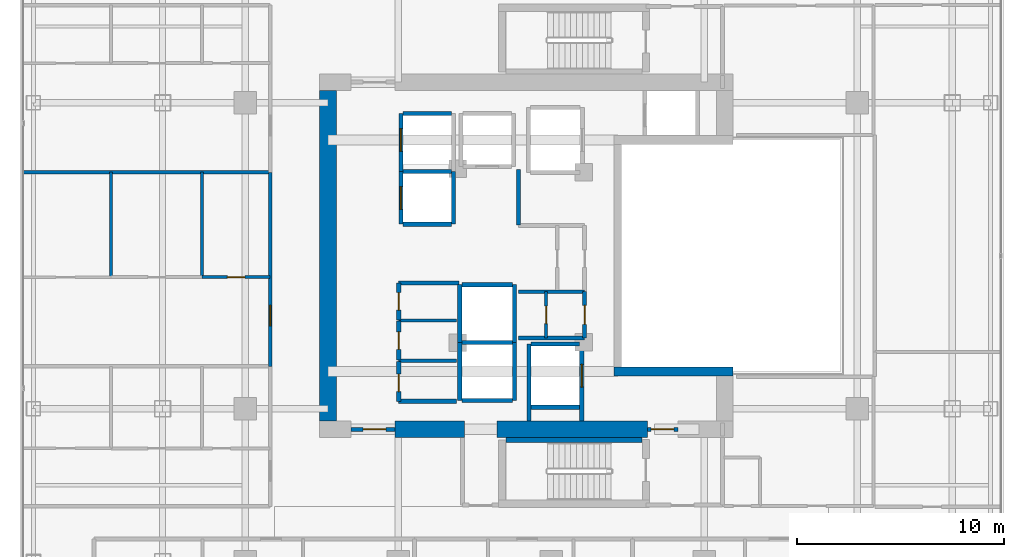
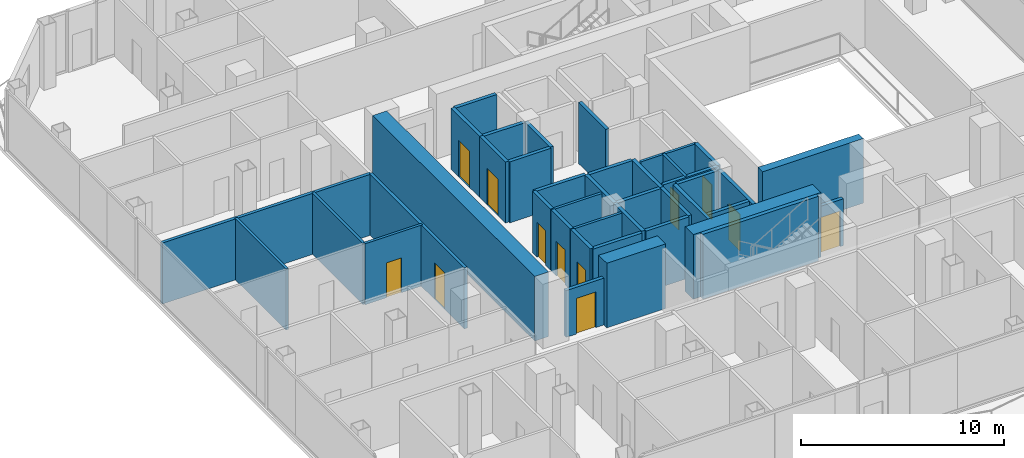
# One storey, part 20 of 27: 41 walls, 12 doors, 12 openings.
"""IFC4 building model written with IfcOpenShell, lengths in metres."""

from ifc_helpers import new_model, si_unit, direction, frame, frame_2d, origin, place, context, subcontext, project, spatial, rectangle, extrude, material, layer, layer_set, type_object, element, fill, save


model = new_model("IFC4")

# Units and contexts
model_context = context("Model", 3, precision=1e-05, world=origin(), true_north=direction((0.0, 1.0)))
body_context = subcontext(model_context, "Body", "Model", "MODEL_VIEW")
ifc_project = project(units=[si_unit("LENGTHUNIT", "METRE"), si_unit("AREAUNIT", "SQUARE_METRE"), si_unit("VOLUMEUNIT", "CUBIC_METRE"), si_unit("PLANEANGLEUNIT", "RADIAN"), si_unit("MASSUNIT", "GRAM", prefix="KILO")], contexts=[model_context])

# Site, building, storey
site_placement = place(None, origin())
site = spatial("IfcSite", under=ifc_project, at=site_placement, CompositionType="ELEMENT")
building_placement = place(site_placement, origin())
building = spatial("IfcBuilding", under=site, at=building_placement, Name="Khorvyn Point Tower", CompositionType="ELEMENT")
storey_placement = place(building_placement, frame((0.0, 0.0, 179.699951171875)))
storey = spatial("IfcBuildingStorey", under=building, at=storey_placement, Name="L44", CompositionType="ELEMENT", Elevation=179.699951171875)

# Wall, opening, door
ifc_material_1 = material(Name="Double acoustic gypsum on twin steel stud", Category="steel")
ifc_layer_1 = layer(ifc_material_1, 0.179931640625)
ifc_layer_set_1 = layer_set([ifc_layer_1], Name="Acoustic Double-Stud Apartment Demising Wall 180")
wall_type_1 = type_object("IfcWallType", Name="Acoustic Double-Stud Apartment Demising Wall 180", PredefinedType="PARTITIONING", material=ifc_layer_set_1)
wall_1_placement = place(storey_placement, frame((-13.60009765625, -5.34912109375, 0.0), z_axis=(0.0, 0.0, 1.0), x_axis=(0.0, 1.0, 0.0)))
wall_1 = element("IfcWall", 1, at=wall_1_placement, inside=storey, type_object=wall_type_1, Name="Wall", PredefinedType="PARTITIONING", context=body_context, shape_type="SweptSolid", body=[
    extrude(rectangle(XDim=9.38916015625, YDim=0.179931640625, at=frame_2d((4.694580078125, 0.0))), origin(), (0.0, 0.0, 1.0), 3.679931640625),
])
opening_1_placement = place(wall_1_placement, frame((1.953125, 0.0, 0.0)))
opening_1 = element("IfcOpeningElement", 2, at=opening_1_placement, cuts=wall_1, Name="Opening ID-AP60", PredefinedType="OPENING", context=body_context, shape_type="SweptSolid", body=[
    extrude(rectangle(XDim=1.0, YDim=2.199951171875, at=frame_2d((0.5, 1.10009765625))), frame((0.0, 0.099853515625, 0.0), z_axis=(0.0, -1.0, 0.0), x_axis=(1.0, 0.0, 0.0)), (0.0, 0.0, 1.0), 0.199951171875),
])
ifc_material_2 = material(Name="Engineered hardwood fire-rated leaf", Category="wood")
door_type_1 = type_object("IfcDoorType", Name="Acoustic Solid-Core Timber Apartment Entrance Door 1000x2200", OperationType="NOTDEFINED", PredefinedType="DOOR", material=ifc_material_2)
door_1_placement = place(opening_1_placement, origin())
door_1 = element("IfcDoor", 3, at=door_1_placement, inside=storey, type_object=door_type_1, Name="Door", OperationType="SINGLE_SWING_LEFT", OverallHeight=2.199951171875, OverallWidth=1.0, PredefinedType="DOOR", context=body_context, shape_type="SweptSolid", body=[
    extrude(rectangle(XDim=1.0, YDim=2.199951171875, at=frame_2d((0.5, 1.10009765625))), frame((0.0, 0.02490234375, 0.0), z_axis=(0.0, -1.0, 0.0), x_axis=(1.0, 0.0, 0.0)), (0.0, 0.0, 1.0), 0.050048828125),
])
fill(opening_1, door_1)

# Walls
wall_2_placement = place(storey_placement, frame((-25.530029296875, 4.0400390625, 0.0), z_axis=(0.0, 0.0, 1.0), x_axis=(1.0, 0.0, 0.0)))
element("IfcWall", 4, at=wall_2_placement, inside=storey, type_object=wall_type_1, Name="Wall", PredefinedType="PARTITIONING", context=body_context, shape_type="SweptSolid", body=[
    extrude(rectangle(XDim=11.929931640625, YDim=0.179931640625, at=frame_2d((5.96484375, 0.0))), origin(), (0.0, 0.0, 1.0), 3.679931640625),
])
ifc_material_3 = material(Name="Concrete C40/50", Category="concrete")
ifc_layer_2 = layer(ifc_material_3, 0.449951171875)
ifc_layer_set_2 = layer_set([ifc_layer_2], Name="Concrete C40/50 Core Shear Wall 450")
wall_type_2 = type_object("IfcWallType", Name="Concrete C40/50 Core Shear Wall 450", PredefinedType="SHEAR", material=ifc_layer_set_2)
wall_3_placement = place(storey_placement, frame((3.044921875, -5.60009765625, 0.0), z_axis=(0.0, 0.0, 1.0), x_axis=(1.0, 0.0, 0.0)))
element("IfcWall", 5, at=wall_3_placement, inside=storey, type_object=wall_type_2, Name="Wall", PredefinedType="SHEAR", context=body_context, shape_type="SweptSolid", body=[
    extrude(rectangle(XDim=5.755126953125, YDim=0.449951171875, at=frame_2d((2.87744140625, 0.0))), origin(), (0.0, 0.0, 1.0), 3.900146484375),
])

# Wall, opening, door
ifc_layer_3 = layer(ifc_material_3, 0.199951171875)
ifc_layer_set_3 = layer_set([ifc_layer_3], Name="Concrete C40/50 Fire-Lobby Compartment Wall 200")
wall_type_3 = type_object("IfcWallType", Name="Concrete C40/50 Fire-Lobby Compartment Wall 200", PredefinedType="SOLIDWALL", material=ifc_layer_set_3)
wall_4_placement = place(storey_placement, frame((4.64990234375, -8.39990234375, 0.0), z_axis=(0.0, 0.0, 1.0), x_axis=(1.0, 0.0, 0.0)))
wall_4 = element("IfcWall", 6, at=wall_4_placement, inside=storey, type_object=wall_type_3, Name="Wall", PredefinedType="SOLIDWALL", context=body_context, shape_type="SweptSolid", body=[
    extrude(rectangle(XDim=1.47021484375, YDim=0.199951171875, at=frame_2d((0.735107421875, 0.0))), origin(), (0.0, 0.0, 1.0), 2.820068359375),
])
opening_2_placement = place(wall_4_placement, frame((0.18505859375, 0.0, 0.0)))
opening_2 = element("IfcOpeningElement", 7, at=opening_2_placement, cuts=wall_4, Name="Opening ID-FL90", PredefinedType="OPENING", context=body_context, shape_type="SweptSolid", body=[
    extrude(rectangle(XDim=1.10009765625, YDim=2.14990234375, at=frame_2d((0.550048828125, 1.074951171875))), frame((0.0, 0.10986328125, 0.0), z_axis=(0.0, -1.0, 0.0), x_axis=(1.0, 0.0, 0.0)), (0.0, 0.0, 1.0), 0.219970703125),
])
ifc_material_4 = material(Name="Galvanised powder-coated steel", Category="steel")
door_type_2 = type_object("IfcDoorType", Name="Fire-Rated Steel Lobby and Stair Door 1100x2150", OperationType="NOTDEFINED", PredefinedType="DOOR", material=ifc_material_4)
door_2_placement = place(opening_2_placement, origin())
door_2 = element("IfcDoor", 8, at=door_2_placement, inside=storey, type_object=door_type_2, Name="Door", OperationType="SINGLE_SWING_LEFT", OverallHeight=2.14990234375, OverallWidth=1.10009765625, PredefinedType="DOOR", context=body_context, shape_type="SweptSolid", body=[
    extrude(rectangle(XDim=1.10009765625, YDim=2.14990234375, at=frame_2d((0.550048828125, 1.074951171875))), frame((0.0, 0.02490234375, 0.0), z_axis=(0.0, -1.0, 0.0), x_axis=(1.0, 0.0, 0.0)), (0.0, 0.0, 1.0), 0.050048828125),
])
fill(opening_2, door_2)

wall_5_placement = place(storey_placement, frame((-9.699951171875, -8.39990234375, 0.0), z_axis=(0.0, 0.0, 1.0), x_axis=(1.0, 0.0, 0.0)))
wall_5 = element("IfcWall", 9, at=wall_5_placement, inside=storey, type_object=wall_type_3, Name="Wall", PredefinedType="SOLIDWALL", context=body_context, shape_type="SweptSolid", body=[
    extrude(rectangle(XDim=2.14990234375, YDim=0.199951171875, at=frame_2d((1.074951171875, 0.0))), origin(), (0.0, 0.0, 1.0), 2.820068359375),
])
opening_3_placement = place(wall_5_placement, frame((0.597900390625, 0.0, 0.0)))
opening_3 = element("IfcOpeningElement", 10, at=opening_3_placement, cuts=wall_5, Name="Opening ID-FL90", PredefinedType="OPENING", context=body_context, shape_type="SweptSolid", body=[
    extrude(rectangle(XDim=1.10009765625, YDim=2.14990234375, at=frame_2d((0.550048828125, 1.074951171875))), frame((0.0, 0.10986328125, 0.0), z_axis=(0.0, -1.0, 0.0), x_axis=(1.0, 0.0, 0.0)), (0.0, 0.0, 1.0), 0.219970703125),
])
door_3_placement = place(opening_3_placement, origin())
door_3 = element("IfcDoor", 11, at=door_3_placement, inside=storey, type_object=door_type_2, Name="Door", OperationType="SINGLE_SWING_LEFT", OverallHeight=2.14990234375, OverallWidth=1.10009765625, PredefinedType="DOOR", context=body_context, shape_type="SweptSolid", body=[
    extrude(rectangle(XDim=1.10009765625, YDim=2.14990234375, at=frame_2d((0.550048828125, 1.074951171875))), frame((0.0, 0.02490234375, 0.0), z_axis=(0.0, -1.0, 0.0), x_axis=(1.0, 0.0, 0.0)), (0.0, 0.0, 1.0), 0.050048828125),
])
fill(opening_3, door_3)

wall_6_placement = place(storey_placement, frame((1.610107421875, -3.97998046875, 0.0), z_axis=(0.0, 0.0, 1.0), x_axis=(0.0, 1.0, 0.0)))
wall_6 = element("IfcWall", 12, at=wall_6_placement, inside=storey, type_object=wall_type_3, Name="Wall", PredefinedType="SOLIDWALL", context=body_context, shape_type="SweptSolid", body=[
    extrude(rectangle(XDim=2.240966796875, YDim=0.199951171875, at=frame_2d((1.12060546875, 0.0))), origin(), (0.0, 0.0, 1.0), 3.679931640625),
])
opening_4_placement = place(wall_6_placement, frame((0.660400390625, 0.0, 0.0)))
opening_4 = element("IfcOpeningElement", 13, at=opening_4_placement, cuts=wall_6, Name="Opening ID-RS60", PredefinedType="OPENING", context=body_context, shape_type="SweptSolid", body=[
    extrude(rectangle(XDim=0.919921875, YDim=2.10009765625, at=frame_2d((0.4599609375, 1.050048828125))), frame((0.0, 0.10986328125, 0.0), z_axis=(0.0, -1.0, 0.0), x_axis=(1.0, 0.0, 0.0)), (0.0, 0.0, 1.0), 0.219970703125),
])
door_type_3 = type_object("IfcDoorType", Name="Fire-Rated Riser and Store Steel Door 920x2100", OperationType="NOTDEFINED", PredefinedType="DOOR", material=ifc_material_4)
door_4_placement = place(opening_4_placement, origin())
door_4 = element("IfcDoor", 14, at=door_4_placement, inside=storey, type_object=door_type_3, Name="Door", OperationType="SINGLE_SWING_RIGHT", OverallHeight=2.10009765625, OverallWidth=0.919921875, PredefinedType="DOOR", context=body_context, shape_type="SweptSolid", body=[
    extrude(rectangle(XDim=0.919921875, YDim=2.10009765625, at=frame_2d((0.4599609375, 1.050048828125))), frame((0.0, 0.02490234375, 0.0), z_axis=(0.0, -1.0, 0.0), x_axis=(1.0, 0.0, 0.0)), (0.0, 0.0, 1.0), 0.050048828125),
])
fill(opening_4, door_4)

wall_7_placement = place(storey_placement, frame((-7.3798828125, -7.0400390625, 0.0), z_axis=(0.0, 0.0, 1.0), x_axis=(0.0, 1.0, 0.0)))
wall_7 = element("IfcWall", 15, at=wall_7_placement, inside=storey, type_object=wall_type_3, Name="Wall", PredefinedType="SOLIDWALL", context=body_context, shape_type="SweptSolid", body=[
    extrude(rectangle(XDim=1.929931640625, YDim=0.199951171875, at=frame_2d((0.96484375, 0.0))), origin(), (0.0, 0.0, 1.0), 3.679931640625),
])
opening_5_placement = place(wall_7_placement, frame((0.464111328125, 0.0, 0.0)))
opening_5 = element("IfcOpeningElement", 16, at=opening_5_placement, cuts=wall_7, Name="Opening ID-WC85", PredefinedType="OPENING", context=body_context, shape_type="SweptSolid", body=[
    extrude(rectangle(XDim=0.85009765625, YDim=2.10009765625, at=frame_2d((0.425048828125, 1.050048828125))), frame((0.0, 0.10986328125, 0.0), z_axis=(0.0, -1.0, 0.0), x_axis=(1.0, 0.0, 0.0)), (0.0, 0.0, 1.0), 0.219970703125),
])
ifc_material_5 = material(Name="High-pressure laminate on moisture-resistant core", Category="wood")
door_type_4 = type_object("IfcDoorType", Name="Moisture-Resistant Accessible Washroom Door 850x2100", OperationType="NOTDEFINED", PredefinedType="DOOR", material=ifc_material_5)
door_5_placement = place(opening_5_placement, origin())
door_5 = element("IfcDoor", 17, at=door_5_placement, inside=storey, type_object=door_type_4, Name="Door", OperationType="SINGLE_SWING_RIGHT", OverallHeight=2.10009765625, OverallWidth=0.85009765625, PredefinedType="DOOR", context=body_context, shape_type="SweptSolid", body=[
    extrude(rectangle(XDim=0.85009765625, YDim=2.10009765625, at=frame_2d((0.425048828125, 1.050048828125))), frame((0.0, 0.02490234375, 0.0), z_axis=(0.0, -1.0, 0.0), x_axis=(1.0, 0.0, 0.0)), (0.0, 0.0, 1.0), 0.050048828125),
])
fill(opening_5, door_5)

wall_8_placement = place(storey_placement, frame((-7.3798828125, -5.050048828125, 0.0), z_axis=(0.0, 0.0, 1.0), x_axis=(0.0, 1.0, 0.0)))
wall_8 = element("IfcWall", 18, at=wall_8_placement, inside=storey, type_object=wall_type_3, Name="Wall", PredefinedType="SOLIDWALL", context=body_context, shape_type="SweptSolid", body=[
    extrude(rectangle(XDim=1.89013671875, YDim=0.199951171875, at=frame_2d((0.945068359375, 0.0))), origin(), (0.0, 0.0, 1.0), 3.679931640625),
])
opening_6_placement = place(wall_8_placement, frame((0.52001953125, 0.0, 0.0)))
opening_6 = element("IfcOpeningElement", 19, at=opening_6_placement, cuts=wall_8, Name="Opening ID-WC85", PredefinedType="OPENING", context=body_context, shape_type="SweptSolid", body=[
    extrude(rectangle(XDim=0.85009765625, YDim=2.10009765625, at=frame_2d((0.425048828125, 1.050048828125))), frame((0.0, 0.10986328125, 0.0), z_axis=(0.0, -1.0, 0.0), x_axis=(1.0, 0.0, 0.0)), (0.0, 0.0, 1.0), 0.219970703125),
])
door_6_placement = place(opening_6_placement, origin())
door_6 = element("IfcDoor", 20, at=door_6_placement, inside=storey, type_object=door_type_4, Name="Door", OperationType="SINGLE_SWING_LEFT", OverallHeight=2.10009765625, OverallWidth=0.85009765625, PredefinedType="DOOR", context=body_context, shape_type="SweptSolid", body=[
    extrude(rectangle(XDim=0.85009765625, YDim=2.10009765625, at=frame_2d((0.425048828125, 1.050048828125))), frame((0.0, 0.02490234375, 0.0), z_axis=(0.0, -1.0, 0.0), x_axis=(1.0, 0.0, 0.0)), (0.0, 0.0, 1.0), 0.050048828125),
])
fill(opening_6, door_6)

wall_9_placement = place(storey_placement, frame((-7.3798828125, -3.10009765625, 0.0), z_axis=(0.0, 0.0, 1.0), x_axis=(0.0, 1.0, 0.0)))
wall_9 = element("IfcWall", 21, at=wall_9_placement, inside=storey, type_object=wall_type_3, Name="Wall", PredefinedType="SOLIDWALL", context=body_context, shape_type="SweptSolid", body=[
    extrude(rectangle(XDim=1.780029296875, YDim=0.199951171875, at=frame_2d((0.89013671875, 0.0))), origin(), (0.0, 0.0, 1.0), 3.679931640625),
])
opening_7_placement = place(wall_9_placement, frame((0.465087890625, 0.0, 0.0)))
opening_7 = element("IfcOpeningElement", 22, at=opening_7_placement, cuts=wall_9, Name="Opening ID-WC85", PredefinedType="OPENING", context=body_context, shape_type="SweptSolid", body=[
    extrude(rectangle(XDim=0.85009765625, YDim=2.10009765625, at=frame_2d((0.425048828125, 1.050048828125))), frame((0.0, 0.10986328125, 0.0), z_axis=(0.0, -1.0, 0.0), x_axis=(1.0, 0.0, 0.0)), (0.0, 0.0, 1.0), 0.219970703125),
])
door_7_placement = place(opening_7_placement, origin())
door_7 = element("IfcDoor", 23, at=door_7_placement, inside=storey, type_object=door_type_4, Name="Door", OperationType="SINGLE_SWING_RIGHT", OverallHeight=2.10009765625, OverallWidth=0.85009765625, PredefinedType="DOOR", context=body_context, shape_type="SweptSolid", body=[
    extrude(rectangle(XDim=0.85009765625, YDim=2.10009765625, at=frame_2d((0.425048828125, 1.050048828125))), frame((0.0, 0.02490234375, 0.0), z_axis=(0.0, -1.0, 0.0), x_axis=(1.0, 0.0, 0.0)), (0.0, 0.0, 1.0), 0.050048828125),
])
fill(opening_7, door_7)

# Walls
wall_10_placement = place(storey_placement, frame((-7.3798828125, -1.320068359375, 0.0), z_axis=(0.0, 0.0, 1.0), x_axis=(1.0, 0.0, 0.0)))
element("IfcWall", 24, at=wall_10_placement, inside=storey, type_object=wall_type_3, Name="Wall", PredefinedType="SOLIDWALL", context=body_context, shape_type="SweptSolid", body=[
    extrude(rectangle(XDim=2.909912109375, YDim=0.199951171875, at=frame_2d((1.455078125, 0.0))), origin(), (0.0, 0.0, 1.0), 3.679931640625),
])
wall_11_placement = place(storey_placement, frame((-1.580078125, 1.47998046875, 0.0), z_axis=(0.0, 0.0, 1.0), x_axis=(0.0, 1.0, 0.0)))
element("IfcWall", 25, at=wall_11_placement, inside=storey, type_object=wall_type_3, Name="Wall", PredefinedType="SOLIDWALL", context=body_context, shape_type="SweptSolid", body=[
    extrude(rectangle(XDim=2.699951171875, YDim=0.199951171875, at=frame_2d((1.35009765625, 0.0))), origin(), (0.0, 0.0, 1.0), 3.679931640625),
])
wall_12_placement = place(storey_placement, frame((-1.580078125, -3.97998046875, 0.0), z_axis=(0.0, 0.0, 1.0), x_axis=(1.0, 0.0, 0.0)))
element("IfcWall", 26, at=wall_12_placement, inside=storey, type_object=wall_type_3, Name="Wall", PredefinedType="SOLIDWALL", context=body_context, shape_type="SweptSolid", body=[
    extrude(rectangle(XDim=3.190185546875, YDim=0.199951171875, at=frame_2d((1.59521484375, 0.0))), origin(), (0.0, 0.0, 1.0), 3.679931640625),
])
wall_13_placement = place(storey_placement, frame((-7.3798828125, -7.0400390625, 0.0), z_axis=(0.0, 0.0, 1.0), x_axis=(1.0, 0.0, 0.0)))
element("IfcWall", 27, at=wall_13_placement, inside=storey, type_object=wall_type_3, Name="Wall", PredefinedType="SOLIDWALL", context=body_context, shape_type="SweptSolid", body=[
    extrude(rectangle(XDim=2.7998046875, YDim=0.199951171875, at=frame_2d((1.39990234375, 0.0))), origin(), (0.0, 0.0, 1.0), 3.679931640625),
])
ifc_layer_4 = layer(ifc_material_3, 0.25)
ifc_layer_set_4 = layer_set([ifc_layer_4], Name="Concrete C40/50 Stair Inner Cheek Structural Wall 250")
wall_type_4 = type_object("IfcWallType", Name="Concrete C40/50 Stair Inner Cheek Structural Wall 250", PredefinedType="SHEAR", material=ifc_layer_set_4)
wall_14_placement = place(storey_placement, frame((-2.199951171875, -8.91259765625, 0.0), z_axis=(0.0, 0.0, 1.0), x_axis=(1.0, 0.0, 0.0)))
element("IfcWall", 28, at=wall_14_placement, inside=storey, type_object=wall_type_4, Name="Wall", PredefinedType="SHEAR", context=body_context, shape_type="SweptSolid", body=[
    extrude(rectangle(XDim=6.599853515625, YDim=0.22509765625, at=frame_2d((3.2998046875, 0.0))), origin(), (0.0, 0.0, 1.0), 3.900146484375),
])

# Wall, opening, door
ifc_layer_5 = layer(ifc_material_3, 0.199951171875)
ifc_layer_set_5 = layer_set([ifc_layer_5], Name="Concrete C40/50 Structural Hoistway and Stair Shaft Wall 200")
wall_type_5 = type_object("IfcWallType", Name="Concrete C40/50 Structural Hoistway and Stair Shaft Wall 200", PredefinedType="SHEAR", material=ifc_layer_set_5)
wall_15_placement = place(storey_placement, frame((-7.27490234375, 1.52490234375, 0.0), z_axis=(0.0, 0.0, 1.0), x_axis=(0.0, 1.0, 0.0)))
wall_15 = element("IfcWall", 29, at=wall_15_placement, inside=storey, type_object=wall_type_5, Name="Wall", PredefinedType="SHEAR", context=body_context, shape_type="SweptSolid", body=[
    extrude(rectangle(XDim=2.550048828125, YDim=0.199951171875, at=frame_2d((1.27490234375, 0.0))), origin(), (0.0, 0.0, 1.0), 3.679931640625),
])
opening_8_placement = place(wall_15_placement, frame((0.72509765625, 0.0, 0.0)))
opening_8 = element("IfcOpeningElement", 30, at=opening_8_placement, cuts=wall_15, Name="Opening LD-1122", PredefinedType="OPENING", context=body_context, shape_type="SweptSolid", body=[
    extrude(rectangle(XDim=1.10009765625, YDim=2.199951171875, at=frame_2d((0.550048828125, 1.10009765625))), frame((0.0, 0.10986328125, 0.0), z_axis=(0.0, -1.0, 0.0), x_axis=(1.0, 0.0, 0.0)), (0.0, 0.0, 1.0), 0.219970703125),
])
ifc_material_6 = material(Name="Stainless steel 1.4301", Category="steel")
door_type_5 = type_object("IfcDoorType", Name="Stainless Steel Automatic Sliding Lift Landing Door 1100x2200", OperationType="SLIDING_TO_LEFT", PredefinedType="DOOR", material=ifc_material_6)
door_8_placement = place(opening_8_placement, origin())
door_8 = element("IfcDoor", 31, at=door_8_placement, inside=storey, type_object=door_type_5, Name="L44 RM-01 Sliding Lift Landing Door", OperationType="SLIDING_TO_LEFT", OverallHeight=2.199951171875, OverallWidth=1.10009765625, PredefinedType="DOOR", context=body_context, shape_type="SweptSolid", body=[
    extrude(rectangle(XDim=1.10009765625, YDim=2.199951171875, at=frame_2d((0.550048828125, 1.10009765625))), frame((0.0, 0.02490234375, 0.0), z_axis=(0.0, -1.0, 0.0), x_axis=(1.0, 0.0, 0.0)), (0.0, 0.0, 1.0), 0.050048828125),
])
fill(opening_8, door_8)

# Walls
wall_16_placement = place(storey_placement, frame((-4.72509765625, 1.52490234375, 0.0), z_axis=(0.0, 0.0, 1.0), x_axis=(0.0, 1.0, 0.0)))
element("IfcWall", 32, at=wall_16_placement, inside=storey, type_object=wall_type_5, Name="Wall", PredefinedType="SHEAR", context=body_context, shape_type="SweptSolid", body=[
    extrude(rectangle(XDim=2.550048828125, YDim=0.199951171875, at=frame_2d((1.27490234375, 0.0))), origin(), (0.0, 0.0, 1.0), 3.679931640625),
])
for number, where, z_axis, x_axis, name in (
    (33, (-7.175048828125, 1.52490234375, 0.0), (0.0, 0.0, 1.0), (1.0, 0.0, 0.0), "Wall"),
    (34, (-7.175048828125, 4.074951171875, 0.0), (0.0, 0.0, 1.0), (1.0, 0.0, 0.0), "Wall"),
):
    element("IfcWall", number, at=place(storey_placement, frame(where, z_axis=z_axis, x_axis=x_axis)), inside=storey, type_object=wall_type_5, Name=name, PredefinedType="SHEAR", context=body_context, shape_type="SweptSolid", body=[
        extrude(rectangle(XDim=2.35009765625, YDim=0.199951171875, at=frame_2d((1.175048828125, 0.0))), origin(), (0.0, 0.0, 1.0), 3.679931640625),
    ])

# Wall, opening, door
wall_17_placement = place(storey_placement, frame((-7.27490234375, 4.074951171875, 0.0), z_axis=(0.0, 0.0, 1.0), x_axis=(0.0, 1.0, 0.0)))
wall_17 = element("IfcWall", 35, at=wall_17_placement, inside=storey, type_object=wall_type_5, Name="Wall", PredefinedType="SHEAR", context=body_context, shape_type="SweptSolid", body=[
    extrude(rectangle(XDim=2.800048828125, YDim=0.199951171875, at=frame_2d((1.39990234375, 0.0))), origin(), (0.0, 0.0, 1.0), 3.679931640625),
])
opening_9_placement = place(wall_17_placement, frame((0.97509765625, 0.0, 0.0)))
opening_9 = element("IfcOpeningElement", 36, at=opening_9_placement, cuts=wall_17, Name="Opening LD-1122", PredefinedType="OPENING", context=body_context, shape_type="SweptSolid", body=[
    extrude(rectangle(XDim=1.10009765625, YDim=2.199951171875, at=frame_2d((0.550048828125, 1.10009765625))), frame((0.0, 0.10986328125, 0.0), z_axis=(0.0, -1.0, 0.0), x_axis=(1.0, 0.0, 0.0)), (0.0, 0.0, 1.0), 0.219970703125),
])
door_9_placement = place(opening_9_placement, origin())
door_9 = element("IfcDoor", 37, at=door_9_placement, inside=storey, type_object=door_type_5, Name="L44 RM-02 Sliding Lift Landing Door", OperationType="SLIDING_TO_LEFT", OverallHeight=2.199951171875, OverallWidth=1.10009765625, PredefinedType="DOOR", context=body_context, shape_type="SweptSolid", body=[
    extrude(rectangle(XDim=1.10009765625, YDim=2.199951171875, at=frame_2d((0.550048828125, 1.10009765625))), frame((0.0, 0.02490234375, 0.0), z_axis=(0.0, -1.0, 0.0), x_axis=(1.0, 0.0, 0.0)), (0.0, 0.0, 1.0), 0.050048828125),
])
fill(opening_9, door_9)

# Walls
wall_18_placement = place(storey_placement, frame((-7.175048828125, 6.875, 0.0), z_axis=(0.0, 0.0, 1.0), x_axis=(1.0, 0.0, 0.0)))
element("IfcWall", 38, at=wall_18_placement, inside=storey, type_object=wall_type_5, Name="Wall", PredefinedType="SHEAR", context=body_context, shape_type="SweptSolid", body=[
    extrude(rectangle(XDim=2.35009765625, YDim=0.199951171875, at=frame_2d((1.175048828125, 0.0))), origin(), (0.0, 0.0, 1.0), 3.679931640625),
])
for number, where, z_axis, x_axis, name in (
    (39, (-4.425048828125, -7.0, 0.0), (0.0, 0.0, 1.0), (0.0, 1.0, 0.0), "Wall"),
    (40, (-1.77490234375, -7.0, 0.0), (0.0, 0.0, 1.0), (0.0, 1.0, 0.0), "Wall"),
):
    element("IfcWall", number, at=place(storey_placement, frame(where, z_axis=z_axis, x_axis=x_axis)), inside=storey, type_object=wall_type_5, Name=name, PredefinedType="SHEAR", context=body_context, shape_type="SweptSolid", body=[
        extrude(rectangle(XDim=2.800048828125, YDim=0.199951171875, at=frame_2d((1.39990234375, 0.0))), origin(), (0.0, 0.0, 1.0), 3.679931640625),
    ])
for number, where, z_axis, x_axis, name in (
    (41, (-4.324951171875, -7.0, 0.0), (0.0, 0.0, 1.0), (1.0, 0.0, 0.0), "Wall"),
    (42, (-4.324951171875, -4.199951171875, 0.0), (0.0, 0.0, 1.0), (1.0, 0.0, 0.0), "Wall"),
):
    element("IfcWall", number, at=place(storey_placement, frame(where, z_axis=z_axis, x_axis=x_axis)), inside=storey, type_object=wall_type_5, Name=name, PredefinedType="SHEAR", context=body_context, shape_type="SweptSolid", body=[
        extrude(rectangle(XDim=2.449951171875, YDim=0.199951171875, at=frame_2d((1.22509765625, 0.0))), origin(), (0.0, 0.0, 1.0), 3.679931640625),
    ])
for number, where, z_axis, x_axis, name in (
    (43, (-4.425048828125, -4.199951171875, 0.0), (0.0, 0.0, 1.0), (0.0, 1.0, 0.0), "Wall"),
    (44, (-1.77490234375, -4.199951171875, 0.0), (0.0, 0.0, 1.0), (0.0, 1.0, 0.0), "Wall"),
):
    element("IfcWall", number, at=place(storey_placement, frame(where, z_axis=z_axis, x_axis=x_axis)), inside=storey, type_object=wall_type_5, Name=name, PredefinedType="SHEAR", context=body_context, shape_type="SweptSolid", body=[
        extrude(rectangle(XDim=2.800048828125, YDim=0.199951171875, at=frame_2d((1.39990234375, 0.0))), origin(), (0.0, 0.0, 1.0), 3.679931640625),
    ])
wall_19_placement = place(storey_placement, frame((-4.324951171875, -1.39990234375, 0.0), z_axis=(0.0, 0.0, 1.0), x_axis=(1.0, 0.0, 0.0)))
element("IfcWall", 45, at=wall_19_placement, inside=storey, type_object=wall_type_5, Name="Wall", PredefinedType="SHEAR", context=body_context, shape_type="SweptSolid", body=[
    extrude(rectangle(XDim=2.449951171875, YDim=0.199951171875, at=frame_2d((1.22509765625, 0.0))), origin(), (0.0, 0.0, 1.0), 3.679931640625),
])
wall_20_placement = place(storey_placement, frame((-1.074951171875, -8.0, 0.0), z_axis=(0.0, 0.0, 1.0), x_axis=(0.0, 1.0, 0.0)))
element("IfcWall", 46, at=wall_20_placement, inside=storey, type_object=wall_type_5, Name="Wall", PredefinedType="SHEAR", context=body_context, shape_type="SweptSolid", body=[
    extrude(rectangle(XDim=3.72509765625, YDim=0.199951171875, at=frame_2d((1.862548828125, 0.0))), origin(), (0.0, 0.0, 1.0), 3.679931640625),
])

# Wall, opening, door
wall_21_placement = place(storey_placement, frame((1.47509765625, -8.0, 0.0), z_axis=(0.0, 0.0, 1.0), x_axis=(0.0, 1.0, 0.0)))
wall_21 = element("IfcWall", 47, at=wall_21_placement, inside=storey, type_object=wall_type_5, Name="Wall", PredefinedType="SHEAR", context=body_context, shape_type="SweptSolid", body=[
    extrude(rectangle(XDim=3.72509765625, YDim=0.199951171875, at=frame_2d((1.862548828125, 0.0))), origin(), (0.0, 0.0, 1.0), 3.679931640625),
])
opening_10_placement = place(wall_21_placement, frame((1.64990234375, 0.0, 0.0)))
opening_10 = element("IfcOpeningElement", 48, at=opening_10_placement, cuts=wall_21, Name="Opening LD-1122", PredefinedType="OPENING", context=body_context, shape_type="SweptSolid", body=[
    extrude(rectangle(XDim=1.10009765625, YDim=2.199951171875, at=frame_2d((0.550048828125, 1.10009765625))), frame((0.0, 0.10986328125, 0.0), z_axis=(0.0, -1.0, 0.0), x_axis=(1.0, 0.0, 0.0)), (0.0, 0.0, 1.0), 0.219970703125),
])
door_10_placement = place(opening_10_placement, origin())
door_10 = element("IfcDoor", 49, at=door_10_placement, inside=storey, type_object=door_type_5, Name="L44 FF-01 Sliding Lift Landing Door", OperationType="SLIDING_TO_LEFT", OverallHeight=2.199951171875, OverallWidth=1.10009765625, PredefinedType="DOOR", context=body_context, shape_type="SweptSolid", body=[
    extrude(rectangle(XDim=1.10009765625, YDim=2.199951171875, at=frame_2d((0.550048828125, 1.10009765625))), frame((0.0, 0.02490234375, 0.0), z_axis=(0.0, -1.0, 0.0), x_axis=(1.0, 0.0, 0.0)), (0.0, 0.0, 1.0), 0.050048828125),
])
fill(opening_10, door_10)

# Walls
for number, where, z_axis, x_axis, name in (
    (50, (-0.97509765625, -7.324951171875, 0.0), (0.0, 0.0, 1.0), (1.0, 0.0, 0.0), "Wall"),
    (51, (-0.97509765625, -4.27490234375, 0.0), (0.0, 0.0, 1.0), (1.0, 0.0, 0.0), "Wall"),
):
    element("IfcWall", number, at=place(storey_placement, frame(where, z_axis=z_axis, x_axis=x_axis)), inside=storey, type_object=wall_type_5, Name=name, PredefinedType="SHEAR", context=body_context, shape_type="SweptSolid", body=[
        extrude(rectangle(XDim=2.35009765625, YDim=0.199951171875, at=frame_2d((1.175048828125, 0.0))), origin(), (0.0, 0.0, 1.0), 3.679931640625),
    ])
ifc_material_7 = material(Name="Concrete C45/55", Category="concrete")
ifc_layer_6 = layer(ifc_material_7, 0.800048828125)
ifc_layer_set_6 = layer_set([ifc_layer_6], Name="Concrete C45/55 Core Shear Wall 800")
wall_type_6 = type_object("IfcWallType", Name="Concrete C45/55 Core Shear Wall 800", PredefinedType="SHEAR", material=ifc_layer_set_6)
wall_22_placement = place(storey_placement, frame((-7.550048828125, -8.39990234375, 0.0), z_axis=(0.0, 0.0, 1.0), x_axis=(1.0, 0.0, 0.0)))
element("IfcWall", 52, at=wall_22_placement, inside=storey, type_object=wall_type_6, Name="Wall", PredefinedType="SHEAR", context=body_context, shape_type="SweptSolid", body=[
    extrude(rectangle(XDim=3.35009765625, YDim=0.800048828125, at=frame_2d((1.675048828125, 0.0))), origin(), (0.0, 0.0, 1.0), 3.900146484375),
])
wall_23_placement = place(storey_placement, frame((-2.6201171875, -8.39990234375, 0.0), z_axis=(0.0, 0.0, 1.0), x_axis=(1.0, 0.0, 0.0)))
element("IfcWall", 53, at=wall_23_placement, inside=storey, type_object=wall_type_6, Name="Wall", PredefinedType="SHEAR", context=body_context, shape_type="SweptSolid", body=[
    extrude(rectangle(XDim=7.27001953125, YDim=0.800048828125, at=frame_2d((3.635009765625, 0.0))), origin(), (0.0, 0.0, 1.0), 3.900146484375),
])
wall_24_placement = place(storey_placement, frame((-10.800048828125, -8.0, 0.0), z_axis=(0.0, 0.0, 1.0), x_axis=(0.0, 1.0, 0.0)))
element("IfcWall", 54, at=wall_24_placement, inside=storey, type_object=wall_type_6, Name="Wall", PredefinedType="SHEAR", context=body_context, shape_type="SweptSolid", body=[
    extrude(rectangle(XDim=16.0, YDim=0.800048828125, at=frame_2d((8.0, 0.0))), origin(), (0.0, 0.0, 1.0), 3.900146484375),
])

# Wall, opening, door
ifc_material_8 = material(Name="Moisture-resistant gypsum and cement board", Category="gypsum")
ifc_layer_7 = layer(ifc_material_8, 0.14990234375)
ifc_layer_set_7 = layer_set([ifc_layer_7], Name="Moisture-Resistant Wet-Room Partition Wall 150")
wall_type_7 = type_object("IfcWallType", Name="Moisture-Resistant Wet-Room Partition Wall 150", PredefinedType="PARTITIONING", material=ifc_layer_set_7)
wall_25_placement = place(storey_placement, frame((-0.25, -3.97998046875, 0.0), z_axis=(0.0, 0.0, 1.0), x_axis=(0.0, 1.0, 0.0)))
wall_25 = element("IfcWall", 55, at=wall_25_placement, inside=storey, type_object=wall_type_7, Name="Wall", PredefinedType="PARTITIONING", context=body_context, shape_type="SweptSolid", body=[
    extrude(rectangle(XDim=2.240966796875, YDim=0.14990234375, at=frame_2d((1.12060546875, 0.0))), origin(), (0.0, 0.0, 1.0), 3.679931640625),
])
opening_11_placement = place(wall_25_placement, frame((0.695556640625, 0.0, 0.0)))
opening_11 = element("IfcOpeningElement", 56, at=opening_11_placement, cuts=wall_25, Name="Opening ID-WC85", PredefinedType="OPENING", context=body_context, shape_type="SweptSolid", body=[
    extrude(rectangle(XDim=0.85009765625, YDim=2.10009765625, at=frame_2d((0.425048828125, 1.050048828125))), frame((0.0, 0.0849609375, 0.0), z_axis=(0.0, -1.0, 0.0), x_axis=(1.0, 0.0, 0.0)), (0.0, 0.0, 1.0), 0.169921875),
])
door_11_placement = place(opening_11_placement, origin())
door_11 = element("IfcDoor", 57, at=door_11_placement, inside=storey, type_object=door_type_4, Name="Door", OperationType="SINGLE_SWING_RIGHT", OverallHeight=2.10009765625, OverallWidth=0.85009765625, PredefinedType="DOOR", context=body_context, shape_type="SweptSolid", body=[
    extrude(rectangle(XDim=0.85009765625, YDim=2.10009765625, at=frame_2d((0.425048828125, 1.050048828125))), frame((0.0, 0.02490234375, 0.0), z_axis=(0.0, -1.0, 0.0), x_axis=(1.0, 0.0, 0.0)), (0.0, 0.0, 1.0), 0.050048828125),
])
fill(opening_11, door_11)

wall_26_placement = place(storey_placement, frame((-16.89306640625, -1.030029296875, 0.0), z_axis=(0.0, 0.0, 1.0), x_axis=(1.0, 0.0, 0.0)))
wall_26 = element("IfcWall", 58, at=wall_26_placement, inside=storey, type_object=wall_type_7, Name="Wall", PredefinedType="PARTITIONING", context=body_context, shape_type="SweptSolid", body=[
    extrude(rectangle(XDim=3.29296875, YDim=0.14990234375, at=frame_2d((1.646484375, 0.0))), origin(), (0.0, 0.0, 1.0), 3.679931640625),
])
opening_12_placement = place(wall_26_placement, frame((1.221435546875, 0.0, 0.0)))
opening_12 = element("IfcOpeningElement", 59, at=opening_12_placement, cuts=wall_26, Name="Opening ID-WC85", PredefinedType="OPENING", context=body_context, shape_type="SweptSolid", body=[
    extrude(rectangle(XDim=0.85009765625, YDim=2.10009765625, at=frame_2d((0.425048828125, 1.050048828125))), frame((0.0, 0.0849609375, 0.0), z_axis=(0.0, -1.0, 0.0), x_axis=(1.0, 0.0, 0.0)), (0.0, 0.0, 1.0), 0.169921875),
])
door_12_placement = place(opening_12_placement, origin())
door_12 = element("IfcDoor", 60, at=door_12_placement, inside=storey, type_object=door_type_4, Name="Door", OperationType="SINGLE_SWING_LEFT", OverallHeight=2.10009765625, OverallWidth=0.85009765625, PredefinedType="DOOR", context=body_context, shape_type="SweptSolid", body=[
    extrude(rectangle(XDim=0.85009765625, YDim=2.10009765625, at=frame_2d((0.425048828125, 1.050048828125))), frame((0.0, 0.02490234375, 0.0), z_axis=(0.0, -1.0, 0.0), x_axis=(1.0, 0.0, 0.0)), (0.0, 0.0, 1.0), 0.050048828125),
])
fill(opening_12, door_12)

# Walls
wall_27_placement = place(storey_placement, frame((-1.580078125, -1.739013671875, 0.0), z_axis=(0.0, 0.0, 1.0), x_axis=(1.0, 0.0, 0.0)))
element("IfcWall", 61, at=wall_27_placement, inside=storey, type_object=wall_type_7, Name="Wall", PredefinedType="PARTITIONING", context=body_context, shape_type="SweptSolid", body=[
    extrude(rectangle(XDim=3.190185546875, YDim=0.14990234375, at=frame_2d((1.59521484375, 0.0))), origin(), (0.0, 0.0, 1.0), 3.679931640625),
])
for number, where, z_axis, x_axis, name in (
    (62, (-7.3798828125, -5.080078125, 0.0), (0.0, 0.0, 1.0), (1.0, 0.0, 0.0), "Wall"),
    (63, (-7.3798828125, -3.1298828125, 0.0), (0.0, 0.0, 1.0), (1.0, 0.0, 0.0), "Wall"),
):
    element("IfcWall", number, at=place(storey_placement, frame(where, z_axis=z_axis, x_axis=x_axis)), inside=storey, type_object=wall_type_7, Name=name, PredefinedType="PARTITIONING", context=body_context, shape_type="SweptSolid", body=[
        extrude(rectangle(XDim=2.7998046875, YDim=0.14990234375, at=frame_2d((1.39990234375, 0.0))), origin(), (0.0, 0.0, 1.0), 3.679931640625),
    ])
for number, where, z_axis, x_axis, name in (
    (64, (-16.89306640625, -1.030029296875, 0.0), (0.0, 0.0, 1.0), (0.0, 1.0, 0.0), "Wall"),
    (65, (-21.2900390625, -1.030029296875, 0.0), (0.0, 0.0, 1.0), (0.0, 1.0, 0.0), "Wall"),
):
    element("IfcWall", number, at=place(storey_placement, frame(where, z_axis=z_axis, x_axis=x_axis)), inside=storey, type_object=wall_type_7, Name=name, PredefinedType="PARTITIONING", context=body_context, shape_type="SweptSolid", body=[
        extrude(rectangle(XDim=5.070068359375, YDim=0.14990234375, at=frame_2d((2.53515625, 0.0))), origin(), (0.0, 0.0, 1.0), 3.679931640625),
    ])

save(model, "model.ifc")
